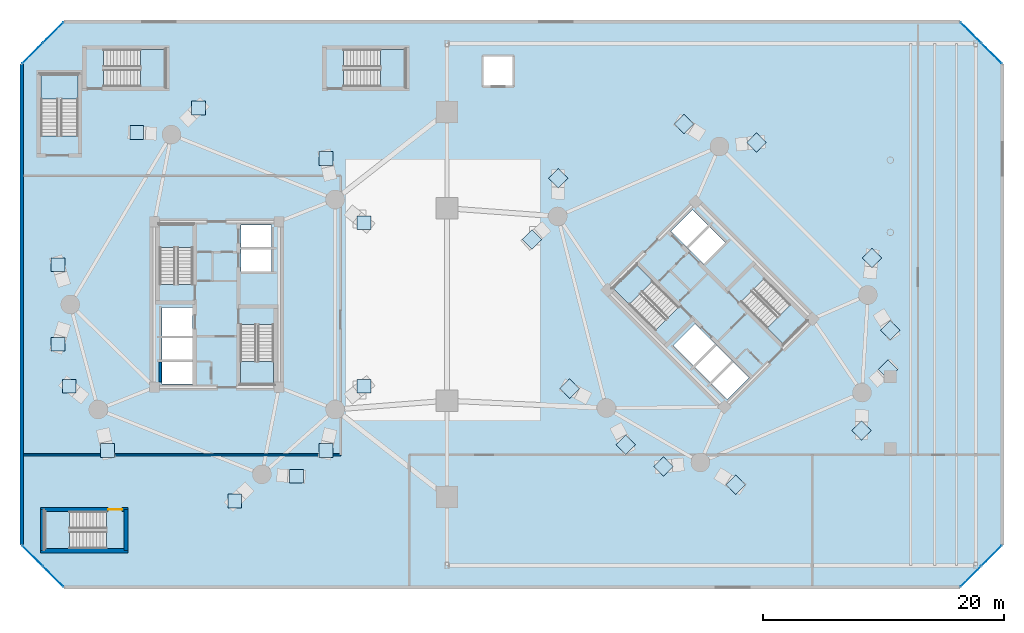
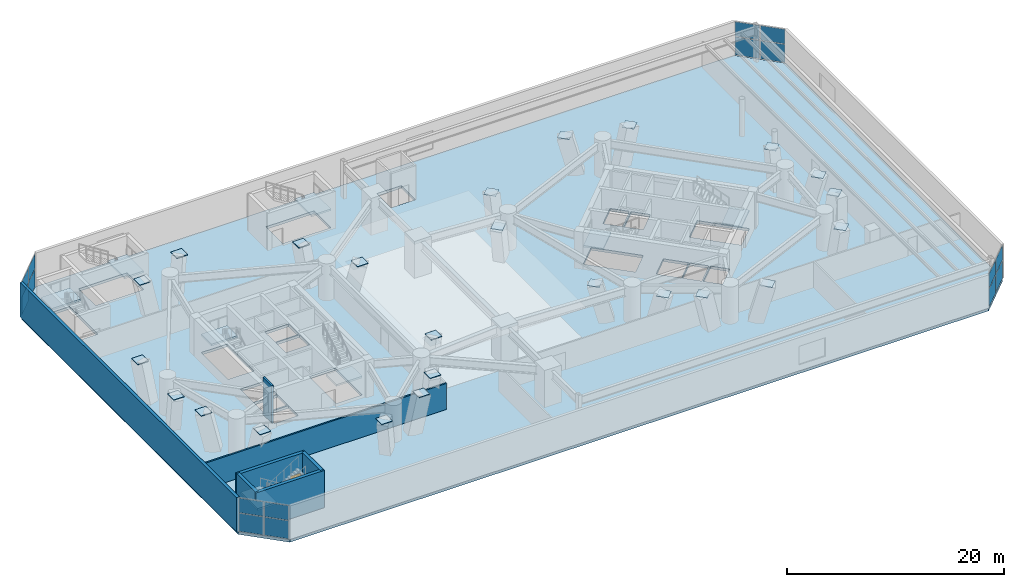
# One storey, part 10 of 20: 40 plates, 9 slabs, 7 walls, 1 door, 1 opening, 12 elements without a shape of their own.
"""IFC4 building model written with IfcOpenShell, lengths in metres."""

from ifc_helpers import new_model, si_unit, direction, frame, frame_2d, origin, origin_2d, place, context, subcontext, project, spatial, polyline, rectangle, outline, extrude, source, transform, mapped, material, layer, layer_set, type_object, element, fill, aggregate, save


model = new_model("IFC4")

# Units and contexts
model_context = context("Model", 3, precision=1e-05, world=origin(), true_north=direction((0.0, 1.0)))
body_context = subcontext(model_context, "Body", "Model", "MODEL_VIEW")
ifc_project = project(units=[si_unit("LENGTHUNIT", "METRE"), si_unit("AREAUNIT", "SQUARE_METRE"), si_unit("VOLUMEUNIT", "CUBIC_METRE"), si_unit("PLANEANGLEUNIT", "RADIAN"), si_unit("MASSUNIT", "GRAM", prefix="KILO")], contexts=[model_context])

# Site, building, storey
site_placement = place(None, origin())
site = spatial("IfcSite", under=ifc_project, at=site_placement, CompositionType="ELEMENT")
building_placement = place(site_placement, origin())
building = spatial("IfcBuilding", under=site, at=building_placement, Name="Cununo Teusaquillo Station Towers", CompositionType="ELEMENT")
storey_placement = place(building_placement, frame((0.0, 0.0, 9.0)))
storey = spatial("IfcBuildingStorey", under=building, at=storey_placement, Name="L02", CompositionType="ELEMENT", Elevation=9.0)

# Slab
ifc_material_1 = material(Name="Concrete C50/60", Category="concrete")
ifc_layer_1 = layer(ifc_material_1, 0.300048828125)
ifc_layer_set_1 = layer_set([ifc_layer_1], Name="Concrete C50/60")
slab_type_1 = type_object("IfcSlabType", Name="SLB-POD-300", PredefinedType="FLOOR", material=ifc_layer_set_1)
slab_1_placement = place(storey_placement, frame((0.0, 0.0, -0.300048828125)))
element("IfcSlab", 1, at=slab_1_placement, inside=storey, type_object=slab_type_1, Name="L02 Structural Slab", PredefinedType="FLOOR", context=body_context, shape_type="SweptSolid", body=[
    extrude(outline(polyline([(3.800048828125, 1.0), (78.300048828125, 1.0), (81.800048828125, 4.5), (81.800048828125, 44.5), (78.300048828125, 48.0), (3.800048828125, 48.0), (0.300048828125, 44.5), (0.300048828125, 4.5), (3.800048828125, 1.0)]), holes=[polyline([(14.52001953125, 26.176025390625), (14.52001953125, 31.159912109375), (11.760009765625, 31.159912109375), (11.760009765625, 26.176025390625), (14.52001953125, 26.176025390625)]), polyline([(18.47998046875, 22.823974609375), (18.47998046875, 17.840087890625), (21.239990234375, 17.840087890625), (21.239990234375, 22.823974609375), (18.47998046875, 22.823974609375)]), polyline([(54.914794921875, 24.28515625), (51.390625, 27.809326171875), (49.43896484375, 25.857666015625), (52.963134765625, 22.33349609375), (54.914794921875, 24.28515625)]), polyline([(60.085205078125, 24.71484375), (63.609375, 21.190673828125), (65.56103515625, 23.142333984375), (62.036865234375, 26.66650390625), (60.085205078125, 24.71484375)]), polyline([(27.055908203125, 42.60009765625), (32.199951171875, 42.60009765625), (32.199951171875, 45.699951171875), (27.055908203125, 45.699951171875), (27.055908203125, 42.60009765625)]), polyline([(7.343994140625, 7.300048828125), (2.199951171875, 7.300048828125), (2.199951171875, 4.199951171875), (7.343994140625, 4.199951171875), (7.343994140625, 7.300048828125)]), polyline([(4.97998046875, 38.506103515625), (4.97998046875, 43.64990234375), (1.8798828125, 43.64990234375), (1.8798828125, 38.506103515625), (4.97998046875, 38.506103515625)]), polyline([(7.10595703125, 42.60009765625), (12.25, 42.60009765625), (12.25, 45.699951171875), (7.10595703125, 45.699951171875), (7.10595703125, 42.60009765625)]), polyline([(11.949951171875, 21.85009765625), (14.47998046875, 21.85009765625), (14.47998046875, 24.25), (11.949951171875, 24.25), (11.949951171875, 21.85009765625)]), polyline([(11.949951171875, 17.89990234375), (14.47998046875, 17.89990234375), (14.47998046875, 19.75), (11.949951171875, 19.75), (11.949951171875, 17.89990234375)]), polyline([(11.949951171875, 19.89990234375), (14.47998046875, 19.89990234375), (14.47998046875, 21.75), (11.949951171875, 21.75), (11.949951171875, 19.89990234375)]), polyline([(18.52001953125, 27.25), (21.050048828125, 27.25), (21.050048828125, 29.10009765625), (18.52001953125, 29.10009765625), (18.52001953125, 27.25)]), polyline([(18.52001953125, 29.25), (21.050048828125, 29.25), (21.050048828125, 31.10009765625), (18.52001953125, 31.10009765625), (18.52001953125, 29.25)]), polyline([(56.156494140625, 19.40869140625), (57.945556640625, 21.19775390625), (56.248291015625, 22.89501953125), (54.45947265625, 21.10595703125), (56.156494140625, 19.40869140625)]), polyline([(58.94970703125, 16.61572265625), (60.738525390625, 18.40478515625), (59.430419921875, 19.712890625), (57.641357421875, 17.923828125), (58.94970703125, 16.61572265625)]), polyline([(57.535400390625, 18.030029296875), (59.32421875, 19.819091796875), (58.01611328125, 21.127197265625), (56.227294921875, 19.338134765625), (57.535400390625, 18.030029296875)]), polyline([(56.98388671875, 27.872802734375), (58.772705078125, 29.661865234375), (57.464599609375, 30.969970703125), (55.67578125, 29.180908203125), (56.98388671875, 27.872802734375)]), polyline([(55.569580078125, 29.287109375), (57.358642578125, 31.076171875), (56.05029296875, 32.38427734375), (54.261474609375, 30.59521484375), (55.569580078125, 29.287109375)]), polyline([(38.60009765625, 42.60009765625), (41.199951171875, 42.60009765625), (41.199951171875, 45.199951171875), (38.60009765625, 45.199951171875), (38.60009765625, 42.60009765625)])]), origin(), (0.0, 0.0, 1.0), 0.300048828125),
])

# Stair, slab
ifc_material_2 = material(Name="Concrete C50/60", Category="concrete")
stair_type_1 = type_object("IfcStairType", Name="ST-TWR-1300", PredefinedType="HALF_TURN_STAIR", material=ifc_material_2)
stair_1_placement = place(storey_placement, origin())
stair_1 = element("IfcStair", 2, at=stair_1_placement, inside=storey, type_object=stair_type_1, Name="L02 Tower A Protected Core Exit Stair 1", PredefinedType="HALF_TURN_STAIR")
ifc_material_3 = material(Name="Concrete C50/60", Category="concrete")
ifc_layer_2 = layer(ifc_material_3, 0.199951171875)
ifc_layer_set_2 = layer_set([ifc_layer_2], Name="Concrete C50/60")
slab_type_2 = type_object("IfcSlabType", Name="SLB-STAIR-LND", PredefinedType="LANDING", material=ifc_layer_set_2)
slab_2_placement = place(storey_placement, frame((0.0, 0.0, 1.89990234375)))
slab_2 = element("IfcSlab", 3, at=slab_2_placement, type_object=slab_type_2, Name="ST-T1-1 landing 1", PredefinedType="LANDING", context=body_context, shape_type="SweptSolid", body=[
    extrude(outline(polyline([(14.52001953125, 29.25), (14.52001953125, 31.159912109375), (11.760009765625, 31.159912109375), (11.760009765625, 29.25), (14.52001953125, 29.25)])), origin(), (0.0, 0.0, 1.0), 0.2001953125),
])
aggregate(stair_1, [slab_2])

stair_2_placement = place(storey_placement, origin())
stair_2 = element("IfcStair", 4, at=stair_2_placement, inside=storey, type_object=stair_type_1, Name="L02 Tower A Protected Core Exit Stair 2", PredefinedType="HALF_TURN_STAIR")
slab_3_placement = place(storey_placement, frame((0.0, 0.0, 1.89990234375)))
slab_3 = element("IfcSlab", 5, at=slab_3_placement, type_object=slab_type_2, Name="ST-T1-2 landing 1", PredefinedType="LANDING", context=body_context, shape_type="SweptSolid", body=[
    extrude(outline(polyline([(18.47998046875, 19.75), (18.47998046875, 17.840087890625), (21.239990234375, 17.840087890625), (21.239990234375, 19.75), (18.47998046875, 19.75)])), origin(), (0.0, 0.0, 1.0), 0.2001953125),
])
aggregate(stair_2, [slab_3])

stair_3_placement = place(storey_placement, origin())
stair_3 = element("IfcStair", 6, at=stair_3_placement, inside=storey, type_object=stair_type_1, Name="L02 Tower B Protected Core Exit Stair 1", PredefinedType="HALF_TURN_STAIR")
slab_4_placement = place(storey_placement, frame((0.0, 0.0, 1.89990234375)))
slab_4 = element("IfcSlab", 7, at=slab_4_placement, type_object=slab_type_2, Name="ST-T2-1 landing 1", PredefinedType="LANDING", context=body_context, shape_type="SweptSolid", body=[
    extrude(outline(polyline([(52.7412109375, 26.458740234375), (51.390625, 27.809326171875), (49.43896484375, 25.857666015625), (50.78955078125, 24.507080078125), (52.7412109375, 26.458740234375)])), origin(), (0.0, 0.0, 1.0), 0.2001953125),
])
aggregate(stair_3, [slab_4])

stair_4_placement = place(storey_placement, origin())
stair_4 = element("IfcStair", 8, at=stair_4_placement, inside=storey, type_object=stair_type_1, Name="L02 Tower B Protected Core Exit Stair 2", PredefinedType="HALF_TURN_STAIR")
slab_5_placement = place(storey_placement, frame((0.0, 0.0, 1.89990234375)))
slab_5 = element("IfcSlab", 9, at=slab_5_placement, type_object=slab_type_2, Name="ST-T2-2 landing 1", PredefinedType="LANDING", context=body_context, shape_type="SweptSolid", body=[
    extrude(outline(polyline([(62.2587890625, 22.541259765625), (63.609375, 21.190673828125), (65.56103515625, 23.142333984375), (64.21044921875, 24.492919921875), (62.2587890625, 22.541259765625)])), origin(), (0.0, 0.0, 1.0), 0.2001953125),
])
aggregate(stair_4, [slab_5])

ifc_material_4 = material(Name="Concrete C50/60", Category="concrete")
stair_type_2 = type_object("IfcStairType", Name="ST-POD-1450", PredefinedType="HALF_TURN_STAIR", material=ifc_material_4)
stair_5_placement = place(storey_placement, origin())
stair_5 = element("IfcStair", 10, at=stair_5_placement, inside=storey, type_object=stair_type_2, Name="L02 Station Podium North Protected Exit Stair", PredefinedType="HALF_TURN_STAIR")
slab_6_placement = place(storey_placement, frame((0.0, 0.0, 1.89990234375)))
slab_6 = element("IfcSlab", 11, at=slab_6_placement, type_object=slab_type_2, Name="ST-POD-N landing 1", PredefinedType="LANDING", context=body_context, shape_type="SweptSolid", body=[
    extrude(outline(polyline([(30.1298828125, 42.60009765625), (32.199951171875, 42.60009765625), (32.199951171875, 45.699951171875), (30.1298828125, 45.699951171875), (30.1298828125, 42.60009765625)])), origin(), (0.0, 0.0, 1.0), 0.2001953125),
])
aggregate(stair_5, [slab_6])

stair_6_placement = place(storey_placement, origin())
stair_6 = element("IfcStair", 12, at=stair_6_placement, inside=storey, type_object=stair_type_2, Name="L02 Station Podium South Protected Exit Stair", PredefinedType="HALF_TURN_STAIR")
slab_7_placement = place(storey_placement, frame((0.0, 0.0, 1.89990234375)))
slab_7 = element("IfcSlab", 13, at=slab_7_placement, type_object=slab_type_2, Name="ST-POD-S landing 1", PredefinedType="LANDING", context=body_context, shape_type="SweptSolid", body=[
    extrude(outline(polyline([(4.27001953125, 7.300048828125), (2.199951171875, 7.300048828125), (2.199951171875, 4.199951171875), (4.27001953125, 4.199951171875), (4.27001953125, 7.300048828125)])), origin(), (0.0, 0.0, 1.0), 0.2001953125),
])
aggregate(stair_6, [slab_7])

stair_7_placement = place(storey_placement, origin())
stair_7 = element("IfcStair", 14, at=stair_7_placement, inside=storey, type_object=stair_type_2, Name="L02 Station Podium West Protected Exit Stair", PredefinedType="HALF_TURN_STAIR")
slab_8_placement = place(storey_placement, frame((0.0, 0.0, 1.89990234375)))
slab_8 = element("IfcSlab", 15, at=slab_8_placement, type_object=slab_type_2, Name="ST-POD-W landing 1", PredefinedType="LANDING", context=body_context, shape_type="SweptSolid", body=[
    extrude(outline(polyline([(4.97998046875, 41.580078125), (4.97998046875, 43.64990234375), (1.8798828125, 43.64990234375), (1.8798828125, 41.580078125), (4.97998046875, 41.580078125)])), origin(), (0.0, 0.0, 1.0), 0.2001953125),
])
aggregate(stair_7, [slab_8])

stair_8_placement = place(storey_placement, origin())
stair_8 = element("IfcStair", 16, at=stair_8_placement, inside=storey, type_object=stair_type_2, Name="L02 Station Podium North-West Protected Exit Stair", PredefinedType="HALF_TURN_STAIR")
slab_9_placement = place(storey_placement, frame((0.0, 0.0, 1.89990234375)))
slab_9 = element("IfcSlab", 17, at=slab_9_placement, type_object=slab_type_2, Name="ST-POD-C landing 1", PredefinedType="LANDING", context=body_context, shape_type="SweptSolid", body=[
    extrude(outline(polyline([(10.179931640625, 42.60009765625), (12.25, 42.60009765625), (12.25, 45.699951171875), (10.179931640625, 45.699951171875), (10.179931640625, 42.60009765625)])), origin(), (0.0, 0.0, 1.0), 0.2001953125),
])
aggregate(stair_8, [slab_9])

# Plates
ifc_material_5 = material(Name="Steel ASTM A572 Grade 50", Category="steel")
ifc_layer_3 = layer(ifc_material_5, 0.06005859375)
ifc_layer_set_3 = layer_set([ifc_layer_3], Name="Steel ASTM A572 Grade 50")
plate_type_1 = type_object("IfcPlateType", Name="PLT-NODE-BDN1", PredefinedType="USERDEFINED", material=ifc_layer_set_3)
shared_shape_1 = source(origin(), body_context, "Body", "SweptSolid", [
    extrude(rectangle(XDim=1.14990234375, YDim=1.14990234375, at=origin_2d()), origin(), (0.0, 0.0, 1.0), 0.06005859375),
])
for number, where, z_axis, x_axis, name in (
    (18, (28.753662109375, 31.289794921875, 4.139892578125), (0.0, 0.0, 1.0), (1.0, 0.0, 0.0), "L02 Tower A V-Foot Pier Head Plate V02L"),
    (19, (25.57763671875, 36.626953125, 4.139892578125), (0.0, 0.0, 1.0), (1.0, 0.0, 0.0), "L02 Tower A V-Foot Pier Head Plate V02R"),
    (20, (14.995361328125, 40.8232421875, 4.139892578125), (0.0, 0.0, 1.0), (1.0, 0.0, 0.0), "L02 Tower A V-Foot Pier Head Plate V06L"),
    (21, (9.856689453125, 38.78466796875, 4.139892578125), (0.0, 0.0, 1.0), (1.0, 0.0, 0.0), "L02 Tower A V-Foot Pier Head Plate V06R"),
    (22, (3.31640625, 27.79833984375, 4.139892578125), (0.0, 0.0, 1.0), (1.0, 0.0, 0.0), "L02 Tower A V-Foot Pier Head Plate V10L"),
    (23, (3.31640625, 21.20166015625, 4.139892578125), (0.0, 0.0, 1.0), (1.0, 0.0, 0.0), "L02 Tower A V-Foot Pier Head Plate V10R"),
    (24, (4.246337890625, 17.710205078125, 4.139892578125), (0.0, 0.0, 1.0), (1.0, 0.0, 0.0), "L02 Tower A V-Foot Pier Head Plate V12L"),
    (25, (7.42236328125, 12.373046875, 4.139892578125), (0.0, 0.0, 1.0), (1.0, 0.0, 0.0), "L02 Tower A V-Foot Pier Head Plate V12R"),
    (26, (18.004638671875, 8.1767578125, 4.139892578125), (0.0, 0.0, 1.0), (1.0, 0.0, 0.0), "L02 Tower A V-Foot Pier Head Plate V16L"),
    (27, (23.143310546875, 10.21533203125, 4.139892578125), (0.0, 0.0, 1.0), (1.0, 0.0, 0.0), "L02 Tower A V-Foot Pier Head Plate V16R"),
    (28, (25.57763671875, 12.373046875, 4.139892578125), (0.0, 0.0, 1.0), (1.0, 0.0, 0.0), "L02 Tower A V-Foot Pier Head Plate V18L"),
    (29, (28.753662109375, 17.710205078125, 4.139892578125), (0.0, 0.0, 1.0), (1.0, 0.0, 0.0), "L02 Tower A V-Foot Pier Head Plate V18R"),
    (30, (61.363525390625, 37.9658203125, 4.139892578125), (0.0, 0.0, 1.0), (0.707106781187, 0.707106781187, 0.0), "L02 Tower B V-Foot Pier Head Plate V02L"),
    (31, (55.343994140625, 39.493896484375, 4.139892578125), (0.0, 0.0, 1.0), (0.707106781187, 0.707106781187, 0.0), "L02 Tower B V-Foot Pier Head Plate V02R"),
    (32, (44.893798828125, 34.978515625, 4.139892578125), (0.0, 0.0, 1.0), (0.707106781187, 0.707106781187, 0.0), "L02 Tower B V-Foot Pier Head Plate V06L"),
    (33, (42.70166015625, 29.9033203125, 4.139892578125), (0.0, 0.0, 1.0), (0.707106781187, 0.707106781187, 0.0), "L02 Tower B V-Foot Pier Head Plate V06R"),
    (34, (45.845458984375, 17.51025390625, 4.139892578125), (0.0, 0.0, 1.0), (0.707106781187, 0.707106781187, 0.0), "L02 Tower B V-Foot Pier Head Plate V10L"),
    (35, (50.51025390625, 12.845458984375, 4.139892578125), (0.0, 0.0, 1.0), (0.707106781187, 0.707106781187, 0.0), "L02 Tower B V-Foot Pier Head Plate V10R"),
    (36, (53.636474609375, 11.0341796875, 4.139892578125), (0.0, 0.0, 1.0), (0.707106781187, 0.707106781187, 0.0), "L02 Tower B V-Foot Pier Head Plate V12L"),
    (37, (59.656005859375, 9.506103515625, 4.139892578125), (0.0, 0.0, 1.0), (0.707106781187, 0.707106781187, 0.0), "L02 Tower B V-Foot Pier Head Plate V12R"),
    (38, (70.106201171875, 14.021484375, 4.139892578125), (0.0, 0.0, 1.0), (0.707106781187, 0.707106781187, 0.0), "L02 Tower B V-Foot Pier Head Plate V16L"),
    (39, (72.29833984375, 19.0966796875, 4.139892578125), (0.0, 0.0, 1.0), (0.707106781187, 0.707106781187, 0.0), "L02 Tower B V-Foot Pier Head Plate V16R"),
    (40, (72.493896484375, 22.343994140625, 4.139892578125), (0.0, 0.0, 1.0), (0.707106781187, 0.707106781187, 0.0), "L02 Tower B V-Foot Pier Head Plate V18L"),
    (41, (70.9658203125, 28.363525390625, 4.139892578125), (0.0, 0.0, 1.0), (0.707106781187, 0.707106781187, 0.0), "L02 Tower B V-Foot Pier Head Plate V18R"),
):
    element("IfcPlate", number, at=place(storey_placement, frame(where, z_axis=z_axis, x_axis=x_axis)), inside=storey, type_object=plate_type_1, Name=name, ObjectType="BASE PLATE", PredefinedType="USERDEFINED", context=body_context, shape_type="MappedRepresentation", body=[
        mapped(shared_shape_1, transform((0.0, 0.0, 0.0), x_axis=(1.0, 0.0, 0.0), y_axis=(0.0, 1.0, 0.0), z_axis=(0.0, 0.0, 1.0), scale=1.0)),
    ])

# Curtain wall, plates
ifc_material_6 = material(Name="Ceramic-fritted dark low-E double glazing", Category="glass")
ifc_layer_4 = layer(ifc_material_6, 0.179931640625)
ifc_layer_set_4 = layer_set([ifc_layer_4], Name="Ceramic-fritted dark low-E double glazing")
curtain_wall_type = type_object("IfcCurtainWallType", Name="CW-SYS-01", PredefinedType="USERDEFINED", material=ifc_layer_set_4)
curtain_wall_1_placement = place(storey_placement, origin())
curtain_wall_1 = element("IfcCurtainWall", 42, at=curtain_wall_1_placement, inside=storey, type_object=curtain_wall_type, Name="L02 Station Podium Corner Curtain Wall 2", ObjectType="FRITTED GLAZING", PredefinedType="USERDEFINED")
ifc_material_7 = material(Name="Ceramic-fritted dark low-E double glazing", Category="glass")
ifc_layer_5 = layer(ifc_material_7, 0.028076171875)
ifc_layer_set_5 = layer_set([ifc_layer_5], Name="Ceramic-fritted dark low-E double glazing")
plate_type_2 = type_object("IfcPlateType", Name="CWP-FRIT-28", PredefinedType="CURTAIN_PANEL", material=ifc_layer_set_5)
shared_shape_2 = source(origin(), body_context, "Body", "SweptSolid", [
    extrude(rectangle(XDim=2.35498046875, YDim=0.028076171875, at=origin_2d()), origin(), (0.0, 0.0, 1.0), 2.031982421875),
])
plate_1_placement = place(storey_placement, frame((1.189208984375, 45.38916015625, 0.06982421875), z_axis=(0.0, 0.0, 1.0), x_axis=(0.707106781187, 0.707106781187, 0.0)))
plate_1 = element("IfcPlate", 43, at=plate_1_placement, type_object=plate_type_2, Name="CW-01 panel 1.1", PredefinedType="CURTAIN_PANEL", context=body_context, shape_type="MappedRepresentation", body=[
    mapped(shared_shape_2, transform((0.0, 0.0, 0.0), x_axis=(1.0, 0.0, 0.0), y_axis=(0.0, 1.0, 0.0), z_axis=(0.0, 0.0, 1.0), scale=1.0)),
])
plate_2_placement = place(storey_placement, frame((2.910888671875, 47.11083984375, 0.06982421875), z_axis=(0.0, 0.0, 1.0), x_axis=(0.707106781187, 0.707106781187, 0.0)))
plate_2 = element("IfcPlate", 44, at=plate_2_placement, type_object=plate_type_2, Name="CW-01 panel 2.1", PredefinedType="CURTAIN_PANEL", context=body_context, shape_type="MappedRepresentation", body=[
    mapped(shared_shape_2, transform((0.0, 0.0, 0.0), x_axis=(1.0, 0.0, 0.0), y_axis=(0.0, 1.0, 0.0), z_axis=(0.0, 0.0, 1.0), scale=1.0)),
])

curtain_wall_2_placement = place(storey_placement, origin())
curtain_wall_2 = element("IfcCurtainWall", 45, at=curtain_wall_2_placement, inside=storey, type_object=curtain_wall_type, Name="L02 Station Podium Corner Curtain Wall 4", ObjectType="FRITTED GLAZING", PredefinedType="USERDEFINED")
plate_3_placement = place(storey_placement, frame((79.189208984375, 47.11083984375, 0.06982421875), z_axis=(0.0, 0.0, 1.0), x_axis=(0.707106781187, -0.707106781187, 0.0)))
plate_3 = element("IfcPlate", 46, at=plate_3_placement, type_object=plate_type_2, Name="CW-01 panel 1.1", PredefinedType="CURTAIN_PANEL", context=body_context, shape_type="MappedRepresentation", body=[
    mapped(shared_shape_2, transform((0.0, 0.0, 0.0), x_axis=(1.0, 0.0, 0.0), y_axis=(0.0, 1.0, 0.0), z_axis=(0.0, 0.0, 1.0), scale=1.0)),
])
plate_4_placement = place(storey_placement, frame((80.910888671875, 45.38916015625, 0.06982421875), z_axis=(0.0, 0.0, 1.0), x_axis=(0.707106781187, -0.707106781187, 0.0)))
plate_4 = element("IfcPlate", 47, at=plate_4_placement, type_object=plate_type_2, Name="CW-01 panel 2.1", PredefinedType="CURTAIN_PANEL", context=body_context, shape_type="MappedRepresentation", body=[
    mapped(shared_shape_2, transform((0.0, 0.0, 0.0), x_axis=(1.0, 0.0, 0.0), y_axis=(0.0, 1.0, 0.0), z_axis=(0.0, 0.0, 1.0), scale=1.0)),
])

curtain_wall_3_placement = place(storey_placement, origin())
curtain_wall_3 = element("IfcCurtainWall", 48, at=curtain_wall_3_placement, inside=storey, type_object=curtain_wall_type, Name="L02 Station Podium Corner Curtain Wall 6", ObjectType="FRITTED GLAZING", PredefinedType="USERDEFINED")
plate_5_placement = place(storey_placement, frame((80.910888671875, 3.61083984375, 0.06982421875), z_axis=(0.0, 0.0, 1.0), x_axis=(-0.707106781187, -0.707106781187, 0.0)))
plate_5 = element("IfcPlate", 49, at=plate_5_placement, type_object=plate_type_2, Name="CW-01 panel 1.1", PredefinedType="CURTAIN_PANEL", context=body_context, shape_type="MappedRepresentation", body=[
    mapped(shared_shape_2, transform((0.0, 0.0, 0.0), x_axis=(1.0, 0.0, 0.0), y_axis=(0.0, 1.0, 0.0), z_axis=(0.0, 0.0, 1.0), scale=1.0)),
])
plate_6_placement = place(storey_placement, frame((79.189208984375, 1.88916015625, 0.06982421875), z_axis=(0.0, 0.0, 1.0), x_axis=(-0.707106781187, -0.707106781187, 0.0)))
plate_6 = element("IfcPlate", 50, at=plate_6_placement, type_object=plate_type_2, Name="CW-01 panel 2.1", PredefinedType="CURTAIN_PANEL", context=body_context, shape_type="MappedRepresentation", body=[
    mapped(shared_shape_2, transform((0.0, 0.0, 0.0), x_axis=(1.0, 0.0, 0.0), y_axis=(0.0, 1.0, 0.0), z_axis=(0.0, 0.0, 1.0), scale=1.0)),
])

curtain_wall_4_placement = place(storey_placement, origin())
curtain_wall_4 = element("IfcCurtainWall", 51, at=curtain_wall_4_placement, inside=storey, type_object=curtain_wall_type, Name="L02 Station Podium Corner Curtain Wall 8", ObjectType="FRITTED GLAZING", PredefinedType="USERDEFINED")
plate_7_placement = place(storey_placement, frame((2.910888671875, 1.88916015625, 0.06982421875), z_axis=(0.0, 0.0, 1.0), x_axis=(-0.707106781187, 0.707106781187, 0.0)))
plate_7 = element("IfcPlate", 52, at=plate_7_placement, type_object=plate_type_2, Name="CW-01 panel 1.1", PredefinedType="CURTAIN_PANEL", context=body_context, shape_type="MappedRepresentation", body=[
    mapped(shared_shape_2, transform((0.0, 0.0, 0.0), x_axis=(1.0, 0.0, 0.0), y_axis=(0.0, 1.0, 0.0), z_axis=(0.0, 0.0, 1.0), scale=1.0)),
])
plate_8_placement = place(storey_placement, frame((1.189208984375, 3.61083984375, 0.06982421875), z_axis=(0.0, 0.0, 1.0), x_axis=(-0.707106781187, 0.707106781187, 0.0)))
plate_8 = element("IfcPlate", 53, at=plate_8_placement, type_object=plate_type_2, Name="CW-01 panel 2.1", PredefinedType="CURTAIN_PANEL", context=body_context, shape_type="MappedRepresentation", body=[
    mapped(shared_shape_2, transform((0.0, 0.0, 0.0), x_axis=(1.0, 0.0, 0.0), y_axis=(0.0, 1.0, 0.0), z_axis=(0.0, 0.0, 1.0), scale=1.0)),
])

# Plate
shared_shape_3 = source(origin(), body_context, "Body", "SweptSolid", [
    extrude(rectangle(XDim=2.35498046875, YDim=0.028076171875, at=origin_2d()), origin(), (0.0, 0.0, 1.0), 1.64306640625),
])
plate_9_placement = place(storey_placement, frame((1.189208984375, 45.38916015625, 2.171875), z_axis=(0.0, 0.0, 1.0), x_axis=(0.707106781187, 0.707106781187, 0.0)))
plate_9 = element("IfcPlate", 54, at=plate_9_placement, type_object=plate_type_2, Name="CW-01 panel 1.2", PredefinedType="CURTAIN_PANEL", context=body_context, shape_type="MappedRepresentation", body=[
    mapped(shared_shape_3, transform((0.0, 0.0, 0.0), x_axis=(1.0, 0.0, 0.0), y_axis=(0.0, 1.0, 0.0), z_axis=(0.0, 0.0, 1.0), scale=1.0)),
])

plate_10_placement = place(storey_placement, frame((2.910888671875, 47.11083984375, 2.171875), z_axis=(0.0, 0.0, 1.0), x_axis=(0.707106781187, 0.707106781187, 0.0)))
plate_10 = element("IfcPlate", 55, at=plate_10_placement, type_object=plate_type_2, Name="CW-01 panel 2.2", PredefinedType="CURTAIN_PANEL", context=body_context, shape_type="MappedRepresentation", body=[
    mapped(shared_shape_3, transform((0.0, 0.0, 0.0), x_axis=(1.0, 0.0, 0.0), y_axis=(0.0, 1.0, 0.0), z_axis=(0.0, 0.0, 1.0), scale=1.0)),
])

aggregate(curtain_wall_1, [plate_1, plate_9, plate_2, plate_10])

plate_11_placement = place(storey_placement, frame((79.189208984375, 47.11083984375, 2.171875), z_axis=(0.0, 0.0, 1.0), x_axis=(0.707106781187, -0.707106781187, 0.0)))
plate_11 = element("IfcPlate", 56, at=plate_11_placement, type_object=plate_type_2, Name="CW-01 panel 1.2", PredefinedType="CURTAIN_PANEL", context=body_context, shape_type="MappedRepresentation", body=[
    mapped(shared_shape_3, transform((0.0, 0.0, 0.0), x_axis=(1.0, 0.0, 0.0), y_axis=(0.0, 1.0, 0.0), z_axis=(0.0, 0.0, 1.0), scale=1.0)),
])

plate_12_placement = place(storey_placement, frame((80.910888671875, 45.38916015625, 2.171875), z_axis=(0.0, 0.0, 1.0), x_axis=(0.707106781187, -0.707106781187, 0.0)))
plate_12 = element("IfcPlate", 57, at=plate_12_placement, type_object=plate_type_2, Name="CW-01 panel 2.2", PredefinedType="CURTAIN_PANEL", context=body_context, shape_type="MappedRepresentation", body=[
    mapped(shared_shape_3, transform((0.0, 0.0, 0.0), x_axis=(1.0, 0.0, 0.0), y_axis=(0.0, 1.0, 0.0), z_axis=(0.0, 0.0, 1.0), scale=1.0)),
])

aggregate(curtain_wall_2, [plate_3, plate_11, plate_4, plate_12])

plate_13_placement = place(storey_placement, frame((80.910888671875, 3.61083984375, 2.171875), z_axis=(0.0, 0.0, 1.0), x_axis=(-0.707106781187, -0.707106781187, 0.0)))
plate_13 = element("IfcPlate", 58, at=plate_13_placement, type_object=plate_type_2, Name="CW-01 panel 1.2", PredefinedType="CURTAIN_PANEL", context=body_context, shape_type="MappedRepresentation", body=[
    mapped(shared_shape_3, transform((0.0, 0.0, 0.0), x_axis=(1.0, 0.0, 0.0), y_axis=(0.0, 1.0, 0.0), z_axis=(0.0, 0.0, 1.0), scale=1.0)),
])

plate_14_placement = place(storey_placement, frame((79.189208984375, 1.88916015625, 2.171875), z_axis=(0.0, 0.0, 1.0), x_axis=(-0.707106781187, -0.707106781187, 0.0)))
plate_14 = element("IfcPlate", 59, at=plate_14_placement, type_object=plate_type_2, Name="CW-01 panel 2.2", PredefinedType="CURTAIN_PANEL", context=body_context, shape_type="MappedRepresentation", body=[
    mapped(shared_shape_3, transform((0.0, 0.0, 0.0), x_axis=(1.0, 0.0, 0.0), y_axis=(0.0, 1.0, 0.0), z_axis=(0.0, 0.0, 1.0), scale=1.0)),
])

aggregate(curtain_wall_3, [plate_5, plate_13, plate_6, plate_14])

plate_15_placement = place(storey_placement, frame((2.910888671875, 1.88916015625, 2.171875), z_axis=(0.0, 0.0, 1.0), x_axis=(-0.707106781187, 0.707106781187, 0.0)))
plate_15 = element("IfcPlate", 60, at=plate_15_placement, type_object=plate_type_2, Name="CW-01 panel 1.2", PredefinedType="CURTAIN_PANEL", context=body_context, shape_type="MappedRepresentation", body=[
    mapped(shared_shape_3, transform((0.0, 0.0, 0.0), x_axis=(1.0, 0.0, 0.0), y_axis=(0.0, 1.0, 0.0), z_axis=(0.0, 0.0, 1.0), scale=1.0)),
])

plate_16_placement = place(storey_placement, frame((1.189208984375, 3.61083984375, 2.171875), z_axis=(0.0, 0.0, 1.0), x_axis=(-0.707106781187, 0.707106781187, 0.0)))
plate_16 = element("IfcPlate", 61, at=plate_16_placement, type_object=plate_type_2, Name="CW-01 panel 2.2", PredefinedType="CURTAIN_PANEL", context=body_context, shape_type="MappedRepresentation", body=[
    mapped(shared_shape_3, transform((0.0, 0.0, 0.0), x_axis=(1.0, 0.0, 0.0), y_axis=(0.0, 1.0, 0.0), z_axis=(0.0, 0.0, 1.0), scale=1.0)),
])

aggregate(curtain_wall_4, [plate_7, plate_15, plate_8, plate_16])

# Walls
ifc_material_8 = material(Name="Concrete C50/60", Category="concrete")
ifc_layer_6 = layer(ifc_material_8, 0.199951171875)
ifc_layer_set_6 = layer_set([ifc_layer_6], Name="Concrete C50/60")
wall_type_1 = type_object("IfcWallType", Name="WL-CORE-200", PredefinedType="SHEAR", material=ifc_layer_set_6)
wall_1_placement = place(storey_placement, frame((11.820068359375, 18.070068359375, 0.0), z_axis=(0.0, 0.0, 1.0), x_axis=(0.0, 1.0, 0.0)))
element("IfcWall", 62, at=wall_1_placement, inside=storey, type_object=wall_type_1, Name="L02 Tower A High-Rise Lift 1 Shaft Rear Shear Wall", PredefinedType="SHEAR", context=body_context, shape_type="SweptSolid", body=[
    extrude(rectangle(XDim=1.635009765625, YDim=0.199951171875, at=frame_2d((0.8173828125, 0.0))), origin(), (0.0, 0.0, 1.0), 4.199951171875),
])
ifc_material_9 = material(Name="Concrete C50/60", Category="concrete")
ifc_layer_7 = layer(ifc_material_9, 0.35009765625)
ifc_layer_set_7 = layer_set([ifc_layer_7], Name="Concrete C50/60")
wall_type_2 = type_object("IfcWallType", Name="WL-CORE-350", PredefinedType="SHEAR", material=ifc_layer_set_7)
wall_2_placement = place(storey_placement, frame((1.860107421875, 4.034912109375, 0.0), z_axis=(0.0, 0.0, 1.0), x_axis=(1.0, 0.0, 0.0)))
element("IfcWall", 63, at=wall_2_placement, inside=storey, type_object=wall_type_2, Name="L02 Podium South Exit Stair Concrete Shaft Wall S", PredefinedType="SHEAR", context=body_context, shape_type="SweptSolid", body=[
    extrude(rectangle(XDim=7.27978515625, YDim=0.35009765625, at=frame_2d((3.639892578125, 0.0))), origin(), (0.0, 0.0, 1.0), 4.199951171875),
])

# Wall, opening, door
wall_3_placement = place(storey_placement, frame((1.860107421875, 7.465087890625, 0.0), z_axis=(0.0, 0.0, 1.0), x_axis=(1.0, 0.0, 0.0)))
wall_3 = element("IfcWall", 64, at=wall_3_placement, inside=storey, type_object=wall_type_2, Name="L02 Podium South Exit Stair Concrete Shaft Wall N", PredefinedType="SHEAR", context=body_context, shape_type="SweptSolid", body=[
    extrude(rectangle(XDim=7.27978515625, YDim=0.35009765625, at=frame_2d((3.639892578125, 0.0))), origin(), (0.0, 0.0, 1.0), 4.199951171875),
])
shared_shape_4 = source(origin(), body_context, "Body", "SweptSolid", [
    extrude(rectangle(XDim=1.14990234375, YDim=2.02001953125, at=frame_2d((0.574951171875, 1.010009765625))), frame((0.0, 0.18505859375, 0.0), z_axis=(0.0, -1.0, 0.0), x_axis=(1.0, 0.0, 0.0)), (0.0, 0.0, 1.0), 0.3701171875),
])
opening_placement = place(wall_3_placement, frame((5.6201171875, 0.0, 0.0)))
opening = element("IfcOpeningElement", 65, at=opening_placement, cuts=wall_3, Name="Opening D-ST1", PredefinedType="OPENING", context=body_context, shape_type="MappedRepresentation", body=[
    mapped(shared_shape_4, transform((0.0, 0.0, 0.0), x_axis=(1.0, 0.0, 0.0), y_axis=(0.0, 1.0, 0.0), z_axis=(0.0, 0.0, 1.0), scale=1.0)),
])
ifc_material_10 = material(Name="Galvanised fire-rated hollow steel door assembly", Category="steel")
door_type = type_object("IfcDoorType", Name="DR-STAIR-1150", OperationType="NOTDEFINED", PredefinedType="DOOR", material=ifc_material_10)
shared_shape_5 = source(origin(), body_context, "Body", "SweptSolid", [
    extrude(rectangle(XDim=1.14990234375, YDim=2.02001953125, at=frame_2d((0.574951171875, 1.010009765625))), frame((0.0, 0.02490234375, 0.0), z_axis=(0.0, -1.0, 0.0), x_axis=(1.0, 0.0, 0.0)), (0.0, 0.0, 1.0), 0.050048828125),
])
door_placement = place(opening_placement, origin())
door = element("IfcDoor", 66, at=door_placement, inside=storey, type_object=door_type, Name="L02 South Podium Exit Stair Door", OperationType="SINGLE_SWING_RIGHT", OverallHeight=2.02001953125, OverallWidth=1.14990234375, PredefinedType="DOOR", context=body_context, shape_type="MappedRepresentation", body=[
    mapped(shared_shape_5, transform((0.0, 0.0, 0.0), x_axis=(1.0, 0.0, 0.0), y_axis=(0.0, 1.0, 0.0), z_axis=(0.0, 0.0, 1.0), scale=1.0)),
])
fill(opening, door)

# Walls
for number, where, z_axis, x_axis, name in (
    (67, (2.034912109375, 4.034912109375, 0.0), (0.0, 0.0, 1.0), (0.0, 1.0, 0.0), "L02 Podium South Exit Stair Concrete Shaft Wall W"),
    (68, (8.965087890625, 4.034912109375, 0.0), (0.0, 0.0, 1.0), (0.0, 1.0, 0.0), "L02 Podium South Exit Stair Concrete Shaft Wall E"),
):
    element("IfcWall", number, at=place(storey_placement, frame(where, z_axis=z_axis, x_axis=x_axis)), inside=storey, type_object=wall_type_2, Name=name, PredefinedType="SHEAR", context=body_context, shape_type="SweptSolid", body=[
        extrude(rectangle(XDim=3.43017578125, YDim=0.35009765625, at=frame_2d((1.715087890625, 0.0))), origin(), (0.0, 0.0, 1.0), 4.199951171875),
    ])
ifc_material_11 = material(Name="Precast concrete C40/50", Category="concrete")
ifc_layer_8 = layer(ifc_material_11, 0.300048828125)
ifc_layer_set_8 = layer_set([ifc_layer_8], Name="Precast concrete C40/50")
wall_type_3 = type_object("IfcWallType", Name="WL-EXT-300", PredefinedType="SOLIDWALL", material=ifc_layer_set_8)
wall_4_placement = place(storey_placement, frame((0.300048828125, 4.5, 0.0), z_axis=(0.0, 0.0, 1.0), x_axis=(0.0, 1.0, 0.0)))
element("IfcWall", 69, at=wall_4_placement, inside=storey, type_object=wall_type_3, Name="L02 Station Podium Facade Wall 1", PredefinedType="SOLIDWALL", context=body_context, shape_type="SweptSolid", body=[
    extrude(rectangle(XDim=40.0, YDim=0.300048828125, at=frame_2d((20.0, 0.0))), origin(), (0.0, 0.0, 1.0), 3.885009765625),
])
ifc_material_12 = material(Name="Fire-rated gypsum plasterboard partition assembly", Category="gypsum")
ifc_layer_9 = layer(ifc_material_12, 0.159912109375)
ifc_layer_set_9 = layer_set([ifc_layer_9], Name="Fire-rated gypsum plasterboard partition assembly")
wall_type_4 = type_object("IfcWallType", Name="WL-PART-160", PredefinedType="PARTITIONING", material=ifc_layer_set_9)
wall_5_placement = place(storey_placement, frame((0.449951171875, 12.0, 0.0), z_axis=(0.0, 0.0, 1.0), x_axis=(1.0, 0.0, 0.0)))
element("IfcWall", 70, at=wall_5_placement, inside=storey, type_object=wall_type_4, Name="L02 West Wing South Wall", PredefinedType="PARTITIONING", context=body_context, shape_type="SweptSolid", body=[
    extrude(rectangle(XDim=26.35009765625, YDim=0.159912109375, at=frame_2d((13.175048828125, 0.0))), origin(), (0.0, 0.0, 1.0), 2.928955078125),
])

save(model, "model.ifc")
